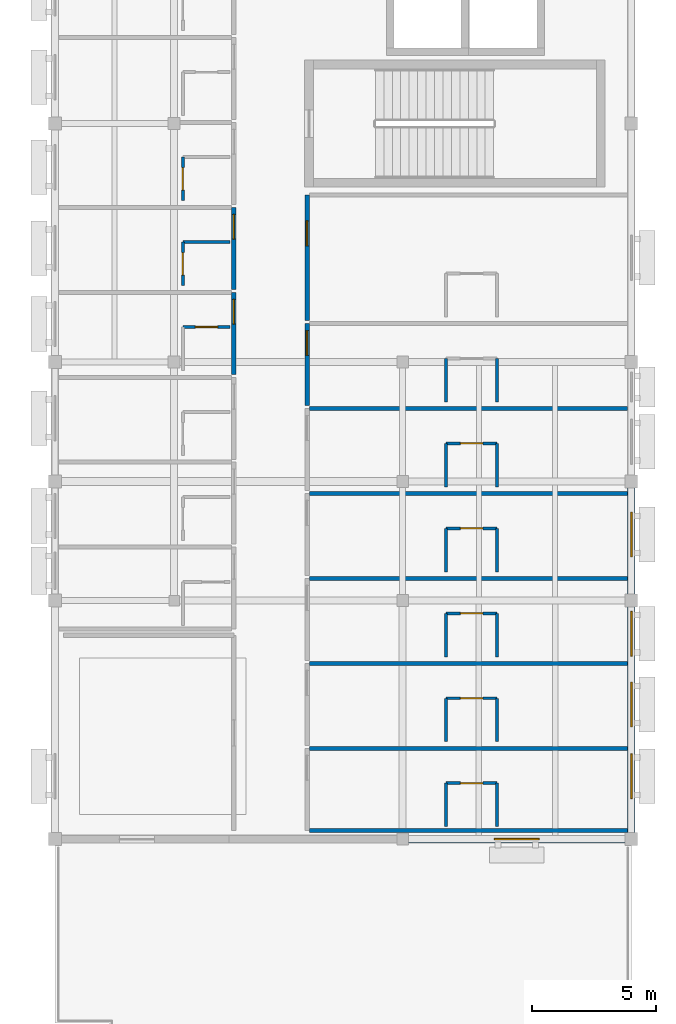
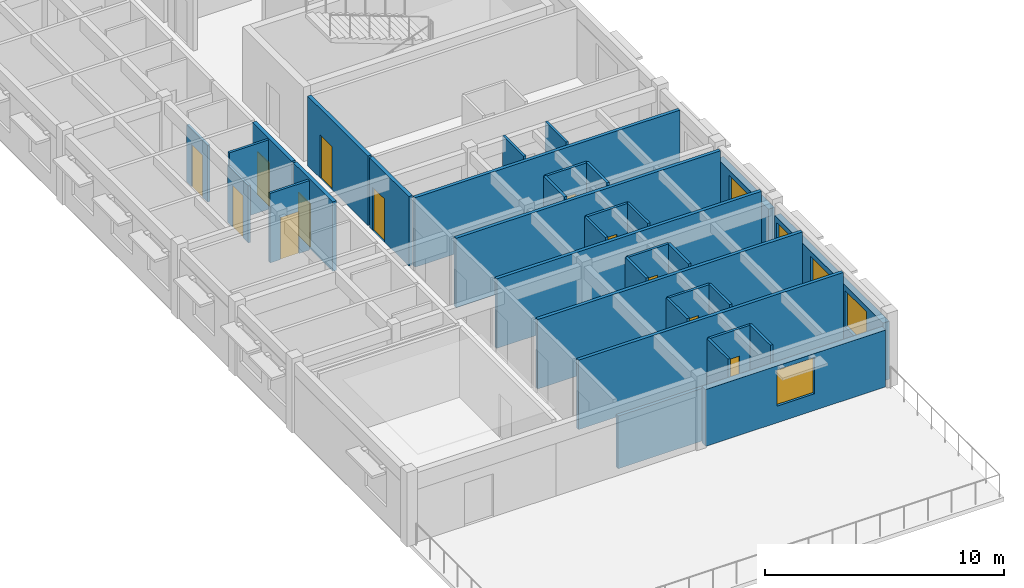
# One storey, part 8 of 22: 34 walls, 12 doors, 5 windows, 17 openings.
"""IFC4 building model written with IfcOpenShell, lengths in metres."""

from ifc_helpers import new_model, si_unit, direction, frame, frame_2d, origin, place, context, subcontext, project, spatial, rectangle, extrude, material, layer, layer_set, type_object, element, fill, save


model = new_model("IFC4")

# Units and contexts
model_context = context("Model", 3, precision=1e-05, world=origin(), true_north=direction((0.0, 1.0)))
body_context = subcontext(model_context, "Body", "Model", "MODEL_VIEW")
ifc_project = project(units=[si_unit("LENGTHUNIT", "METRE"), si_unit("AREAUNIT", "SQUARE_METRE"), si_unit("VOLUMEUNIT", "CUBIC_METRE"), si_unit("PLANEANGLEUNIT", "RADIAN"), si_unit("MASSUNIT", "GRAM", prefix="KILO")], contexts=[model_context])

# Site, building, storey
site_placement = place(None, origin())
site = spatial("IfcSite", under=ifc_project, at=site_placement, CompositionType="ELEMENT")
building_placement = place(site_placement, origin())
building = spatial("IfcBuilding", under=site, at=building_placement, Name="Veldera Park Congress Hotel", CompositionType="ELEMENT")
storey_placement = place(building_placement, frame((0.0, 0.0, 23.800048828125)))
storey = spatial("IfcBuildingStorey", under=building, at=storey_placement, Name="L05", CompositionType="ELEMENT", Elevation=23.800048828125)

# Wall, opening, window
ifc_material_1 = material(Name="Cross-laminated timber CLT V2M1.1", Category="wood")
ifc_layer_1 = layer(ifc_material_1, 0.300048828125)
ifc_layer_set_1 = layer_set([ifc_layer_1], Name="Cross-laminated timber CLT V2M1.1")
wall_type_1 = type_object("IfcWallType", Name="EW-CLT300", PredefinedType="STANDARD", material=ifc_layer_set_1)
wall_1_placement = place(storey_placement, frame((75.0380859375, -37.800048828125, 0.0), z_axis=(0.0, 0.0, 1.0), x_axis=(1.0, 0.0, 0.0)))
wall_1 = element("IfcWall", 1, at=wall_1_placement, inside=storey, type_object=wall_type_1, Name="L05 Exterior Wall EW3-L05-0278", PredefinedType="STANDARD", context=body_context, shape_type="SweptSolid", body=[
    extrude(rectangle(XDim=8.703857421875, YDim=0.300048828125, at=frame_2d((4.35205078125, 0.0))), origin(), (0.0, 0.0, 1.0), 2.905029296875),
])
opening_1_placement = place(wall_1_placement, frame((3.451904296875, 0.0, 0.85009765625)))
opening_1 = element("IfcOpeningElement", 2, at=opening_1_placement, cuts=wall_1, Name="Opening WIN-1800", PredefinedType="OPENING", context=body_context, shape_type="SweptSolid", body=[
    extrude(rectangle(XDim=1.800048828125, YDim=1.85009765625, at=frame_2d((0.89990234375, 0.925048828125))), frame((0.0, 0.162109375, 0.0), z_axis=(0.0, -1.0, 0.0), x_axis=(1.0, 0.0, 0.0)), (0.0, 0.0, 1.0), 0.323974609375),
])
ifc_material_2 = material(Name="Low-E Triple Insulating Glass Unit (SHGC 0.22)", Category="glass")
window_type = type_object("IfcWindowType", Name="WIN-1800", PartitioningType="SINGLE_PANEL", PredefinedType="WINDOW", material=ifc_material_2)
window_1_placement = place(opening_1_placement, origin())
window_1 = element("IfcWindow", 3, at=window_1_placement, inside=storey, type_object=window_type, Name="L05 Window WIN-1800 219", OverallHeight=1.85009765625, OverallWidth=1.800048828125, PartitioningType="SINGLE_PANEL", PredefinedType="WINDOW", context=body_context, shape_type="SweptSolid", body=[
    extrude(rectangle(XDim=1.800048828125, YDim=1.85009765625, at=frame_2d((0.89990234375, 0.925048828125))), frame((0.0, 0.030029296875, 0.0), z_axis=(0.0, -1.0, 0.0), x_axis=(1.0, 0.0, 0.0)), (0.0, 0.0, 1.0), 0.06005859375),
])
fill(opening_1, window_1)

# Wall, openings, windows
wall_2_placement = place(storey_placement, frame((84.0, -37.5419921875, 0.0), z_axis=(0.0, 0.0, 1.0), x_axis=(0.0, 1.0, 0.0)))
wall_2 = element("IfcWall", 4, at=wall_2_placement, inside=storey, type_object=wall_type_1, Name="L05 Exterior Wall EW3-L05-0279", PredefinedType="STANDARD", context=body_context, shape_type="SweptSolid", body=[
    extrude(rectangle(XDim=9.083984375, YDim=0.300048828125, at=frame_2d((4.5419921875, 0.0))), origin(), (0.0, 0.0, 1.0), 2.96484375),
])
opening_2_placement = place(wall_2_placement, frame((1.37109375, 0.0, 0.85009765625)))
opening_2 = element("IfcOpeningElement", 5, at=opening_2_placement, cuts=wall_2, Name="Opening WIN-1800", PredefinedType="OPENING", context=body_context, shape_type="SweptSolid", body=[
    extrude(rectangle(XDim=1.800048828125, YDim=1.85009765625, at=frame_2d((0.89990234375, 0.925048828125))), frame((0.0, 0.162109375, 0.0), z_axis=(0.0, -1.0, 0.0), x_axis=(1.0, 0.0, 0.0)), (0.0, 0.0, 1.0), 0.323974609375),
])
opening_3_placement = place(wall_2_placement, frame((4.261962890625, 0.0, 0.85009765625)))
opening_3 = element("IfcOpeningElement", 6, at=opening_3_placement, cuts=wall_2, Name="Opening WIN-1800", PredefinedType="OPENING", context=body_context, shape_type="SweptSolid", body=[
    extrude(rectangle(XDim=1.800048828125, YDim=1.85009765625, at=frame_2d((0.89990234375, 0.925048828125))), frame((0.0, 0.162109375, 0.0), z_axis=(0.0, -1.0, 0.0), x_axis=(1.0, 0.0, 0.0)), (0.0, 0.0, 1.0), 0.323974609375),
])
opening_4_placement = place(wall_2_placement, frame((7.10791015625, 0.0, 0.85009765625)))
opening_4 = element("IfcOpeningElement", 7, at=opening_4_placement, cuts=wall_2, Name="Opening WIN-1800", PredefinedType="OPENING", context=body_context, shape_type="SweptSolid", body=[
    extrude(rectangle(XDim=1.800048828125, YDim=1.85009765625, at=frame_2d((0.89990234375, 0.925048828125))), frame((0.0, 0.162109375, 0.0), z_axis=(0.0, -1.0, 0.0), x_axis=(1.0, 0.0, 0.0)), (0.0, 0.0, 1.0), 0.323974609375),
])
window_2_placement = place(opening_2_placement, origin())
window_2 = element("IfcWindow", 8, at=window_2_placement, inside=storey, type_object=window_type, Name="L05 Window WIN-1800 220", OverallHeight=1.85009765625, OverallWidth=1.800048828125, PartitioningType="SINGLE_PANEL", PredefinedType="WINDOW", context=body_context, shape_type="SweptSolid", body=[
    extrude(rectangle(XDim=1.800048828125, YDim=1.85009765625, at=frame_2d((0.89990234375, 0.925048828125))), frame((0.0, 0.030029296875, 0.0), z_axis=(0.0, -1.0, 0.0), x_axis=(1.0, 0.0, 0.0)), (0.0, 0.0, 1.0), 0.06005859375),
])
fill(opening_2, window_2)
window_3_placement = place(opening_3_placement, origin())
window_3 = element("IfcWindow", 9, at=window_3_placement, inside=storey, type_object=window_type, Name="L05 Window WIN-1800 493", OverallHeight=1.85009765625, OverallWidth=1.800048828125, PartitioningType="SINGLE_PANEL", PredefinedType="WINDOW", context=body_context, shape_type="SweptSolid", body=[
    extrude(rectangle(XDim=1.800048828125, YDim=1.85009765625, at=frame_2d((0.89990234375, 0.925048828125))), frame((0.0, 0.030029296875, 0.0), z_axis=(0.0, -1.0, 0.0), x_axis=(1.0, 0.0, 0.0)), (0.0, 0.0, 1.0), 0.06005859375),
])
fill(opening_3, window_3)
window_4_placement = place(opening_4_placement, origin())
window_4 = element("IfcWindow", 10, at=window_4_placement, inside=storey, type_object=window_type, Name="L05 Window WIN-1800 494", OverallHeight=1.85009765625, OverallWidth=1.800048828125, PartitioningType="SINGLE_PANEL", PredefinedType="WINDOW", context=body_context, shape_type="SweptSolid", body=[
    extrude(rectangle(XDim=1.800048828125, YDim=1.85009765625, at=frame_2d((0.89990234375, 0.925048828125))), frame((0.0, 0.030029296875, 0.0), z_axis=(0.0, -1.0, 0.0), x_axis=(1.0, 0.0, 0.0)), (0.0, 0.0, 1.0), 0.06005859375),
])
fill(opening_4, window_4)

# Wall, opening, window
wall_3_placement = place(storey_placement, frame((84.0, -27.94189453125, 0.0), z_axis=(0.0, 0.0, 1.0), x_axis=(0.0, 1.0, 0.0)))
wall_3 = element("IfcWall", 11, at=wall_3_placement, inside=storey, type_object=wall_type_1, Name="L05 Exterior Wall EW3-L05-0280", PredefinedType="STANDARD", context=body_context, shape_type="SweptSolid", body=[
    extrude(rectangle(XDim=4.283935546875, YDim=0.300048828125, at=frame_2d((2.14208984375, 0.0))), origin(), (0.0, 0.0, 1.0), 2.96484375),
])
opening_5_placement = place(wall_3_placement, frame((1.501953125, 0.0, 0.85009765625)))
opening_5 = element("IfcOpeningElement", 12, at=opening_5_placement, cuts=wall_3, Name="Opening WIN-1800", PredefinedType="OPENING", context=body_context, shape_type="SweptSolid", body=[
    extrude(rectangle(XDim=1.800048828125, YDim=1.85009765625, at=frame_2d((0.89990234375, 0.925048828125))), frame((0.0, 0.162109375, 0.0), z_axis=(0.0, -1.0, 0.0), x_axis=(1.0, 0.0, 0.0)), (0.0, 0.0, 1.0), 0.323974609375),
])
window_5_placement = place(opening_5_placement, origin())
window_5 = element("IfcWindow", 13, at=window_5_placement, inside=storey, type_object=window_type, Name="L05 Window WIN-1800 495", OverallHeight=1.85009765625, OverallWidth=1.800048828125, PartitioningType="SINGLE_PANEL", PredefinedType="WINDOW", context=body_context, shape_type="SweptSolid", body=[
    extrude(rectangle(XDim=1.800048828125, YDim=1.85009765625, at=frame_2d((0.89990234375, 0.925048828125))), frame((0.0, 0.030029296875, 0.0), z_axis=(0.0, -1.0, 0.0), x_axis=(1.0, 0.0, 0.0)), (0.0, 0.0, 1.0), 0.06005859375),
])
fill(opening_5, window_5)

# Wall, opening, door
ifc_material_3 = material(Name="Fire-Rated Gypsum Board on Cold-Formed Steel Studs", Category="steel")
ifc_layer_2 = layer(ifc_material_3, 0.1201171875)
ifc_layer_set_2 = layer_set([ifc_layer_2], Name="Fire-Rated Gypsum Board on Cold-Formed Steel Studs")
wall_type_2 = type_object("IfcWallType", Name="IW-BATH120", PredefinedType="PARTITIONING", material=ifc_layer_set_2)
wall_4_placement = place(storey_placement, frame((65.949951171875, -17.18994140625, 0.0), z_axis=(0.0, 0.0, 1.0), x_axis=(1.0, 0.0, 0.0)))
wall_4 = element("IfcWall", 14, at=wall_4_placement, inside=storey, type_object=wall_type_2, Name="L05 Partition Wall IW3-L05-01024", PredefinedType="PARTITIONING", context=body_context, shape_type="SweptSolid", body=[
    extrude(rectangle(XDim=1.900146484375, YDim=0.1201171875, at=frame_2d((0.9501953125, 0.0))), origin(), (0.0, 0.0, 1.0), 3.550048828125),
])
opening_6_placement = place(wall_4_placement, frame((0.5, 0.0, 0.0)))
opening_6 = element("IfcOpeningElement", 15, at=opening_6_placement, cuts=wall_4, Name="Opening ID-BATH090", PredefinedType="OPENING", context=body_context, shape_type="SweptSolid", body=[
    extrude(rectangle(XDim=0.89990234375, YDim=2.14990234375, at=frame_2d((0.449951171875, 1.074951171875))), frame((0.0, 0.072021484375, 0.0), z_axis=(0.0, -1.0, 0.0), x_axis=(1.0, 0.0, 0.0)), (0.0, 0.0, 1.0), 0.14404296875),
])
ifc_material_4 = material(Name="Solid Core White Oak Architectural Door", Category="wood")
door_type_1 = type_object("IfcDoorType", Name="ID-BATH090", OperationType="NOTDEFINED", PredefinedType="DOOR", material=ifc_material_4)
door_1_placement = place(opening_6_placement, origin())
door_1 = element("IfcDoor", 16, at=door_1_placement, inside=storey, type_object=door_type_1, Name="L05 En-suite 142 Door ID3-L05-0423 (DR3-ID3-L05-0423)", OperationType="SINGLE_SWING_LEFT", OverallHeight=2.14990234375, OverallWidth=0.89990234375, PredefinedType="DOOR", context=body_context, shape_type="SweptSolid", body=[
    extrude(rectangle(XDim=0.89990234375, YDim=2.14990234375, at=frame_2d((0.449951171875, 1.074951171875))), frame((0.0, 0.02490234375, 0.0), z_axis=(0.0, -1.0, 0.0), x_axis=(1.0, 0.0, 0.0)), (0.0, 0.0, 1.0), 0.050048828125),
])
fill(opening_6, door_1)

wall_5_placement = place(storey_placement, frame((65.949951171875, -15.52001953125, 0.0), z_axis=(0.0, 0.0, 1.0), x_axis=(0.0, 1.0, 0.0)))
wall_5 = element("IfcWall", 17, at=wall_5_placement, inside=storey, type_object=wall_type_2, Name="L05 Partition Wall IW3-L05-01027", PredefinedType="PARTITIONING", context=body_context, shape_type="SweptSolid", body=[
    extrude(rectangle(XDim=1.75, YDim=0.1201171875, at=frame_2d((0.875, 0.0))), origin(), (0.0, 0.0, 1.0), 2.905029296875),
])
opening_7_placement = place(wall_5_placement, frame((0.425048828125, 0.0, 0.0)))
opening_7 = element("IfcOpeningElement", 18, at=opening_7_placement, cuts=wall_5, Name="Opening ID-BATH090", PredefinedType="OPENING", context=body_context, shape_type="SweptSolid", body=[
    extrude(rectangle(XDim=0.89990234375, YDim=2.14990234375, at=frame_2d((0.449951171875, 1.074951171875))), frame((0.0, 0.072021484375, 0.0), z_axis=(0.0, -1.0, 0.0), x_axis=(1.0, 0.0, 0.0)), (0.0, 0.0, 1.0), 0.14404296875),
])
door_2_placement = place(opening_7_placement, origin())
door_2 = element("IfcDoor", 19, at=door_2_placement, inside=storey, type_object=door_type_1, Name="L05 En-suite 143 Door ID3-L05-0425 (DR3-ID3-L05-0425)", OperationType="SINGLE_SWING_LEFT", OverallHeight=2.14990234375, OverallWidth=0.89990234375, PredefinedType="DOOR", context=body_context, shape_type="SweptSolid", body=[
    extrude(rectangle(XDim=0.89990234375, YDim=2.14990234375, at=frame_2d((0.449951171875, 1.074951171875))), frame((0.0, 0.02490234375, 0.0), z_axis=(0.0, -1.0, 0.0), x_axis=(1.0, 0.0, 0.0)), (0.0, 0.0, 1.0), 0.050048828125),
])
fill(opening_7, door_2)

# Wall
wall_6_placement = place(storey_placement, frame((65.949951171875, -13.77001953125, 0.0), z_axis=(0.0, 0.0, 1.0), x_axis=(1.0, 0.0, 0.0)))
element("IfcWall", 20, at=wall_6_placement, inside=storey, type_object=wall_type_2, Name="L05 Partition Wall IW3-L05-01028", PredefinedType="PARTITIONING", context=body_context, shape_type="SweptSolid", body=[
    extrude(rectangle(XDim=1.900146484375, YDim=0.1201171875, at=frame_2d((0.9501953125, 0.0))), origin(), (0.0, 0.0, 1.0), 3.550048828125),
])

# Wall, opening, door
wall_7_placement = place(storey_placement, frame((65.949951171875, -12.10009765625, 0.0), z_axis=(0.0, 0.0, 1.0), x_axis=(0.0, 1.0, 0.0)))
wall_7 = element("IfcWall", 21, at=wall_7_placement, inside=storey, type_object=wall_type_2, Name="L05 Partition Wall IW3-L05-01031", PredefinedType="PARTITIONING", context=body_context, shape_type="SweptSolid", body=[
    extrude(rectangle(XDim=1.75, YDim=0.1201171875, at=frame_2d((0.875, 0.0))), origin(), (0.0, 0.0, 1.0), 2.905029296875),
])
opening_8_placement = place(wall_7_placement, frame((0.425048828125, 0.0, 0.0)))
opening_8 = element("IfcOpeningElement", 22, at=opening_8_placement, cuts=wall_7, Name="Opening ID-BATH090", PredefinedType="OPENING", context=body_context, shape_type="SweptSolid", body=[
    extrude(rectangle(XDim=0.89990234375, YDim=2.14990234375, at=frame_2d((0.449951171875, 1.074951171875))), frame((0.0, 0.072021484375, 0.0), z_axis=(0.0, -1.0, 0.0), x_axis=(1.0, 0.0, 0.0)), (0.0, 0.0, 1.0), 0.14404296875),
])
door_3_placement = place(opening_8_placement, origin())
door_3 = element("IfcDoor", 23, at=door_3_placement, inside=storey, type_object=door_type_1, Name="L05 En-suite 144 Door ID3-L05-0427 (DR3-ID3-L05-0427)", OperationType="SINGLE_SWING_LEFT", OverallHeight=2.14990234375, OverallWidth=0.89990234375, PredefinedType="DOOR", context=body_context, shape_type="SweptSolid", body=[
    extrude(rectangle(XDim=0.89990234375, YDim=2.14990234375, at=frame_2d((0.449951171875, 1.074951171875))), frame((0.0, 0.02490234375, 0.0), z_axis=(0.0, -1.0, 0.0), x_axis=(1.0, 0.0, 0.0)), (0.0, 0.0, 1.0), 0.050048828125),
])
fill(opening_8, door_3)

# Walls
for number, where, z_axis, x_axis, name in (
    (24, (76.550048828125, -37.300048828125, 0.0), (0.0, 0.0, 1.0), (0.0, 1.0, 0.0), "L05 Partition Wall IW3-L05-01080"),
    (25, (78.60009765625, -37.300048828125, 0.0), (0.0, 0.0, 1.0), (0.0, 1.0, 0.0), "L05 Partition Wall IW3-L05-01081"),
):
    element("IfcWall", number, at=place(storey_placement, frame(where, z_axis=z_axis, x_axis=x_axis)), inside=storey, type_object=wall_type_2, Name=name, PredefinedType="PARTITIONING", context=body_context, shape_type="SweptSolid", body=[
        extrude(rectangle(XDim=1.75, YDim=0.1201171875, at=frame_2d((0.875, 0.0))), origin(), (0.0, 0.0, 1.0), 3.550048828125),
    ])

# Wall, opening, door
wall_8_placement = place(storey_placement, frame((76.550048828125, -35.550048828125, 0.0), z_axis=(0.0, 0.0, 1.0), x_axis=(1.0, 0.0, 0.0)))
wall_8 = element("IfcWall", 26, at=wall_8_placement, inside=storey, type_object=wall_type_2, Name="L05 Partition Wall IW3-L05-01082", PredefinedType="PARTITIONING", context=body_context, shape_type="SweptSolid", body=[
    extrude(rectangle(XDim=2.050048828125, YDim=0.1201171875, at=frame_2d((1.02490234375, 0.0))), origin(), (0.0, 0.0, 1.0), 3.550048828125),
])
opening_9_placement = place(wall_8_placement, frame((0.574951171875, 0.0, 0.0)))
opening_9 = element("IfcOpeningElement", 27, at=opening_9_placement, cuts=wall_8, Name="Opening ID-BATH090", PredefinedType="OPENING", context=body_context, shape_type="SweptSolid", body=[
    extrude(rectangle(XDim=0.89990234375, YDim=2.14990234375, at=frame_2d((0.449951171875, 1.074951171875))), frame((0.0, 0.072021484375, 0.0), z_axis=(0.0, -1.0, 0.0), x_axis=(1.0, 0.0, 0.0)), (0.0, 0.0, 1.0), 0.14404296875),
])
door_4_placement = place(opening_9_placement, origin())
door_4 = element("IfcDoor", 28, at=door_4_placement, inside=storey, type_object=door_type_1, Name="L05 En-suite 156 Door ID3-L05-0451 (DR3-ID3-L05-0451)", OperationType="SINGLE_SWING_LEFT", OverallHeight=2.14990234375, OverallWidth=0.89990234375, PredefinedType="DOOR", context=body_context, shape_type="SweptSolid", body=[
    extrude(rectangle(XDim=0.89990234375, YDim=2.14990234375, at=frame_2d((0.449951171875, 1.074951171875))), frame((0.0, 0.02490234375, 0.0), z_axis=(0.0, -1.0, 0.0), x_axis=(1.0, 0.0, 0.0)), (0.0, 0.0, 1.0), 0.050048828125),
])
fill(opening_9, door_4)

# Walls
for number, where, z_axis, x_axis, name in (
    (29, (76.550048828125, -33.8798828125, 0.0), (0.0, 0.0, 1.0), (0.0, 1.0, 0.0), "L05 Partition Wall IW3-L05-01085"),
    (30, (78.60009765625, -33.8798828125, 0.0), (0.0, 0.0, 1.0), (0.0, 1.0, 0.0), "L05 Partition Wall IW3-L05-01086"),
):
    element("IfcWall", number, at=place(storey_placement, frame(where, z_axis=z_axis, x_axis=x_axis)), inside=storey, type_object=wall_type_2, Name=name, PredefinedType="PARTITIONING", context=body_context, shape_type="SweptSolid", body=[
        extrude(rectangle(XDim=1.75, YDim=0.1201171875, at=frame_2d((0.875, 0.0))), origin(), (0.0, 0.0, 1.0), 3.550048828125),
    ])

# Wall, opening, door
wall_9_placement = place(storey_placement, frame((76.550048828125, -32.1298828125, 0.0), z_axis=(0.0, 0.0, 1.0), x_axis=(1.0, 0.0, 0.0)))
wall_9 = element("IfcWall", 31, at=wall_9_placement, inside=storey, type_object=wall_type_2, Name="L05 Partition Wall IW3-L05-01087", PredefinedType="PARTITIONING", context=body_context, shape_type="SweptSolid", body=[
    extrude(rectangle(XDim=2.050048828125, YDim=0.1201171875, at=frame_2d((1.02490234375, 0.0))), origin(), (0.0, 0.0, 1.0), 3.550048828125),
])
opening_10_placement = place(wall_9_placement, frame((0.574951171875, 0.0, 0.0)))
opening_10 = element("IfcOpeningElement", 32, at=opening_10_placement, cuts=wall_9, Name="Opening ID-BATH090", PredefinedType="OPENING", context=body_context, shape_type="SweptSolid", body=[
    extrude(rectangle(XDim=0.89990234375, YDim=2.14990234375, at=frame_2d((0.449951171875, 1.074951171875))), frame((0.0, 0.072021484375, 0.0), z_axis=(0.0, -1.0, 0.0), x_axis=(1.0, 0.0, 0.0)), (0.0, 0.0, 1.0), 0.14404296875),
])
door_5_placement = place(opening_10_placement, origin())
door_5 = element("IfcDoor", 33, at=door_5_placement, inside=storey, type_object=door_type_1, Name="L05 En-suite 157 Door ID3-L05-0453 (DR3-ID3-L05-0453)", OperationType="SINGLE_SWING_LEFT", OverallHeight=2.14990234375, OverallWidth=0.89990234375, PredefinedType="DOOR", context=body_context, shape_type="SweptSolid", body=[
    extrude(rectangle(XDim=0.89990234375, YDim=2.14990234375, at=frame_2d((0.449951171875, 1.074951171875))), frame((0.0, 0.02490234375, 0.0), z_axis=(0.0, -1.0, 0.0), x_axis=(1.0, 0.0, 0.0)), (0.0, 0.0, 1.0), 0.050048828125),
])
fill(opening_10, door_5)

# Walls
for number, where, z_axis, x_axis, name in (
    (34, (76.550048828125, -30.4599609375, 0.0), (0.0, 0.0, 1.0), (0.0, 1.0, 0.0), "L05 Partition Wall IW3-L05-01090"),
    (35, (78.60009765625, -30.4599609375, 0.0), (0.0, 0.0, 1.0), (0.0, 1.0, 0.0), "L05 Partition Wall IW3-L05-01091"),
):
    element("IfcWall", number, at=place(storey_placement, frame(where, z_axis=z_axis, x_axis=x_axis)), inside=storey, type_object=wall_type_2, Name=name, PredefinedType="PARTITIONING", context=body_context, shape_type="SweptSolid", body=[
        extrude(rectangle(XDim=1.75, YDim=0.1201171875, at=frame_2d((0.875, 0.0))), origin(), (0.0, 0.0, 1.0), 3.550048828125),
    ])

# Wall, opening, door
wall_10_placement = place(storey_placement, frame((76.550048828125, -28.7099609375, 0.0), z_axis=(0.0, 0.0, 1.0), x_axis=(1.0, 0.0, 0.0)))
wall_10 = element("IfcWall", 36, at=wall_10_placement, inside=storey, type_object=wall_type_2, Name="L05 Partition Wall IW3-L05-01092", PredefinedType="PARTITIONING", context=body_context, shape_type="SweptSolid", body=[
    extrude(rectangle(XDim=2.050048828125, YDim=0.1201171875, at=frame_2d((1.02490234375, 0.0))), origin(), (0.0, 0.0, 1.0), 3.550048828125),
])
opening_11_placement = place(wall_10_placement, frame((0.574951171875, 0.0, 0.0)))
opening_11 = element("IfcOpeningElement", 37, at=opening_11_placement, cuts=wall_10, Name="Opening ID-BATH090", PredefinedType="OPENING", context=body_context, shape_type="SweptSolid", body=[
    extrude(rectangle(XDim=0.89990234375, YDim=2.14990234375, at=frame_2d((0.449951171875, 1.074951171875))), frame((0.0, 0.072021484375, 0.0), z_axis=(0.0, -1.0, 0.0), x_axis=(1.0, 0.0, 0.0)), (0.0, 0.0, 1.0), 0.14404296875),
])
door_6_placement = place(opening_11_placement, origin())
door_6 = element("IfcDoor", 38, at=door_6_placement, inside=storey, type_object=door_type_1, Name="L05 En-suite 158 Door ID3-L05-0455 (DR3-ID3-L05-0455)", OperationType="SINGLE_SWING_LEFT", OverallHeight=2.14990234375, OverallWidth=0.89990234375, PredefinedType="DOOR", context=body_context, shape_type="SweptSolid", body=[
    extrude(rectangle(XDim=0.89990234375, YDim=2.14990234375, at=frame_2d((0.449951171875, 1.074951171875))), frame((0.0, 0.02490234375, 0.0), z_axis=(0.0, -1.0, 0.0), x_axis=(1.0, 0.0, 0.0)), (0.0, 0.0, 1.0), 0.050048828125),
])
fill(opening_11, door_6)

# Walls
for number, where, z_axis, x_axis, name in (
    (39, (76.550048828125, -27.0400390625, 0.0), (0.0, 0.0, 1.0), (0.0, 1.0, 0.0), "L05 Partition Wall IW3-L05-01095"),
    (40, (78.60009765625, -27.0400390625, 0.0), (0.0, 0.0, 1.0), (0.0, 1.0, 0.0), "L05 Partition Wall IW3-L05-01096"),
):
    element("IfcWall", number, at=place(storey_placement, frame(where, z_axis=z_axis, x_axis=x_axis)), inside=storey, type_object=wall_type_2, Name=name, PredefinedType="PARTITIONING", context=body_context, shape_type="SweptSolid", body=[
        extrude(rectangle(XDim=1.75, YDim=0.1201171875, at=frame_2d((0.875, 0.0))), origin(), (0.0, 0.0, 1.0), 3.550048828125),
    ])

# Wall, opening, door
wall_11_placement = place(storey_placement, frame((76.550048828125, -25.2900390625, 0.0), z_axis=(0.0, 0.0, 1.0), x_axis=(1.0, 0.0, 0.0)))
wall_11 = element("IfcWall", 41, at=wall_11_placement, inside=storey, type_object=wall_type_2, Name="L05 Partition Wall IW3-L05-01097", PredefinedType="PARTITIONING", context=body_context, shape_type="SweptSolid", body=[
    extrude(rectangle(XDim=2.050048828125, YDim=0.1201171875, at=frame_2d((1.02490234375, 0.0))), origin(), (0.0, 0.0, 1.0), 3.550048828125),
])
opening_12_placement = place(wall_11_placement, frame((0.574951171875, 0.0, 0.0)))
opening_12 = element("IfcOpeningElement", 42, at=opening_12_placement, cuts=wall_11, Name="Opening ID-BATH090", PredefinedType="OPENING", context=body_context, shape_type="SweptSolid", body=[
    extrude(rectangle(XDim=0.89990234375, YDim=2.14990234375, at=frame_2d((0.449951171875, 1.074951171875))), frame((0.0, 0.072021484375, 0.0), z_axis=(0.0, -1.0, 0.0), x_axis=(1.0, 0.0, 0.0)), (0.0, 0.0, 1.0), 0.14404296875),
])
door_7_placement = place(opening_12_placement, origin())
door_7 = element("IfcDoor", 43, at=door_7_placement, inside=storey, type_object=door_type_1, Name="L05 En-suite 159 Door ID3-L05-0457 (DR3-ID3-L05-0457)", OperationType="SINGLE_SWING_LEFT", OverallHeight=2.14990234375, OverallWidth=0.89990234375, PredefinedType="DOOR", context=body_context, shape_type="SweptSolid", body=[
    extrude(rectangle(XDim=0.89990234375, YDim=2.14990234375, at=frame_2d((0.449951171875, 1.074951171875))), frame((0.0, 0.02490234375, 0.0), z_axis=(0.0, -1.0, 0.0), x_axis=(1.0, 0.0, 0.0)), (0.0, 0.0, 1.0), 0.050048828125),
])
fill(opening_12, door_7)

# Walls
for number, where, z_axis, x_axis, name in (
    (44, (76.550048828125, -23.6201171875, 0.0), (0.0, 0.0, 1.0), (0.0, 1.0, 0.0), "L05 Partition Wall IW3-L05-01100"),
    (45, (78.60009765625, -23.6201171875, 0.0), (0.0, 0.0, 1.0), (0.0, 1.0, 0.0), "L05 Partition Wall IW3-L05-01101"),
):
    element("IfcWall", number, at=place(storey_placement, frame(where, z_axis=z_axis, x_axis=x_axis)), inside=storey, type_object=wall_type_2, Name=name, PredefinedType="PARTITIONING", context=body_context, shape_type="SweptSolid", body=[
        extrude(rectangle(XDim=1.75, YDim=0.1201171875, at=frame_2d((0.875, 0.0))), origin(), (0.0, 0.0, 1.0), 3.550048828125),
    ])

# Wall, opening, door
wall_12_placement = place(storey_placement, frame((76.550048828125, -21.8701171875, 0.0), z_axis=(0.0, 0.0, 1.0), x_axis=(1.0, 0.0, 0.0)))
wall_12 = element("IfcWall", 46, at=wall_12_placement, inside=storey, type_object=wall_type_2, Name="L05 Partition Wall IW3-L05-01102", PredefinedType="PARTITIONING", context=body_context, shape_type="SweptSolid", body=[
    extrude(rectangle(XDim=2.050048828125, YDim=0.1201171875, at=frame_2d((1.02490234375, 0.0))), origin(), (0.0, 0.0, 1.0), 3.550048828125),
])
opening_13_placement = place(wall_12_placement, frame((0.574951171875, 0.0, 0.0)))
opening_13 = element("IfcOpeningElement", 47, at=opening_13_placement, cuts=wall_12, Name="Opening ID-BATH090", PredefinedType="OPENING", context=body_context, shape_type="SweptSolid", body=[
    extrude(rectangle(XDim=0.89990234375, YDim=2.14990234375, at=frame_2d((0.449951171875, 1.074951171875))), frame((0.0, 0.072021484375, 0.0), z_axis=(0.0, -1.0, 0.0), x_axis=(1.0, 0.0, 0.0)), (0.0, 0.0, 1.0), 0.14404296875),
])
door_8_placement = place(opening_13_placement, origin())
door_8 = element("IfcDoor", 48, at=door_8_placement, inside=storey, type_object=door_type_1, Name="L05 En-suite 160 Door ID3-L05-0459 (DR3-ID3-L05-0459)", OperationType="SINGLE_SWING_LEFT", OverallHeight=2.14990234375, OverallWidth=0.89990234375, PredefinedType="DOOR", context=body_context, shape_type="SweptSolid", body=[
    extrude(rectangle(XDim=0.89990234375, YDim=2.14990234375, at=frame_2d((0.449951171875, 1.074951171875))), frame((0.0, 0.02490234375, 0.0), z_axis=(0.0, -1.0, 0.0), x_axis=(1.0, 0.0, 0.0)), (0.0, 0.0, 1.0), 0.050048828125),
])
fill(opening_13, door_8)

# Walls
for number, where, z_axis, x_axis, name in (
    (49, (76.550048828125, -20.199951171875, 0.0), (0.0, 0.0, 1.0), (0.0, 1.0, 0.0), "L05 Partition Wall IW3-L05-01105"),
    (50, (78.60009765625, -20.199951171875, 0.0), (0.0, 0.0, 1.0), (0.0, 1.0, 0.0), "L05 Partition Wall IW3-L05-01106"),
):
    element("IfcWall", number, at=place(storey_placement, frame(where, z_axis=z_axis, x_axis=x_axis)), inside=storey, type_object=wall_type_2, Name=name, PredefinedType="PARTITIONING", context=body_context, shape_type="SweptSolid", body=[
        extrude(rectangle(XDim=1.75, YDim=0.1201171875, at=frame_2d((0.875, 0.0))), origin(), (0.0, 0.0, 1.0), 3.550048828125),
    ])

# Wall, opening, door
ifc_layer_3 = layer(ifc_material_3, 0.179931640625)
ifc_layer_set_3 = layer_set([ifc_layer_3], Name="Fire-Rated Gypsum Board on Cold-Formed Steel Studs")
wall_type_3 = type_object("IfcWallType", Name="IW-CORR180", PredefinedType="PARTITIONING", material=ifc_layer_set_3)
wall_13_placement = place(storey_placement, frame((68.0, -19.090087890625, 0.0), z_axis=(0.0, 0.0, 1.0), x_axis=(0.0, 1.0, 0.0)))
wall_13 = element("IfcWall", 51, at=wall_13_placement, inside=storey, type_object=wall_type_3, Name="L05 Corridor Wall IW3-L05-01021", PredefinedType="PARTITIONING", context=body_context, shape_type="SweptSolid", body=[
    extrude(rectangle(XDim=3.300048828125, YDim=0.179931640625, at=frame_2d((1.64990234375, 0.0))), origin(), (0.0, 0.0, 1.0), 3.550048828125),
])
opening_14_placement = place(wall_13_placement, frame((2.02001953125, 0.0, 0.0)))
opening_14 = element("IfcOpeningElement", 52, at=opening_14_placement, cuts=wall_13, Name="Opening ID-UNIT100", PredefinedType="OPENING", context=body_context, shape_type="SweptSolid", body=[
    extrude(rectangle(XDim=1.0, YDim=2.199951171875, at=frame_2d((0.5, 1.10009765625))), frame((0.0, 0.10205078125, 0.0), z_axis=(0.0, -1.0, 0.0), x_axis=(1.0, 0.0, 0.0)), (0.0, 0.0, 1.0), 0.203857421875),
])
door_type_2 = type_object("IfcDoorType", Name="ID-UNIT100", OperationType="NOTDEFINED", PredefinedType="DOOR", material=ifc_material_4)
door_9_placement = place(opening_14_placement, origin())
door_9 = element("IfcDoor", 53, at=door_9_placement, inside=storey, type_object=door_type_2, Name="L05 Guestroom 142 Entry Door (DR3-UD3-L05-142)", OperationType="SINGLE_SWING_RIGHT", OverallHeight=2.199951171875, OverallWidth=1.0, PredefinedType="DOOR", context=body_context, shape_type="SweptSolid", body=[
    extrude(rectangle(XDim=1.0, YDim=2.199951171875, at=frame_2d((0.5, 1.10009765625))), frame((0.0, 0.02490234375, 0.0), z_axis=(0.0, -1.0, 0.0), x_axis=(1.0, 0.0, 0.0)), (0.0, 0.0, 1.0), 0.050048828125),
])
fill(opening_14, door_9)

wall_14_placement = place(storey_placement, frame((68.0, -15.669921875, 0.0), z_axis=(0.0, 0.0, 1.0), x_axis=(0.0, 1.0, 0.0)))
wall_14 = element("IfcWall", 54, at=wall_14_placement, inside=storey, type_object=wall_type_3, Name="L05 Corridor Wall IW3-L05-01025", PredefinedType="PARTITIONING", context=body_context, shape_type="SweptSolid", body=[
    extrude(rectangle(XDim=3.2998046875, YDim=0.179931640625, at=frame_2d((1.64990234375, 0.0))), origin(), (0.0, 0.0, 1.0), 3.550048828125),
])
opening_15_placement = place(wall_14_placement, frame((2.02001953125, 0.0, 0.0)))
opening_15 = element("IfcOpeningElement", 55, at=opening_15_placement, cuts=wall_14, Name="Opening ID-UNIT100", PredefinedType="OPENING", context=body_context, shape_type="SweptSolid", body=[
    extrude(rectangle(XDim=1.0, YDim=2.199951171875, at=frame_2d((0.5, 1.10009765625))), frame((0.0, 0.10205078125, 0.0), z_axis=(0.0, -1.0, 0.0), x_axis=(1.0, 0.0, 0.0)), (0.0, 0.0, 1.0), 0.203857421875),
])
door_10_placement = place(opening_15_placement, origin())
door_10 = element("IfcDoor", 56, at=door_10_placement, inside=storey, type_object=door_type_2, Name="L05 Guestroom 143 Entry Door (DR3-UD3-L05-143)", OperationType="SINGLE_SWING_RIGHT", OverallHeight=2.199951171875, OverallWidth=1.0, PredefinedType="DOOR", context=body_context, shape_type="SweptSolid", body=[
    extrude(rectangle(XDim=1.0, YDim=2.199951171875, at=frame_2d((0.5, 1.10009765625))), frame((0.0, 0.02490234375, 0.0), z_axis=(0.0, -1.0, 0.0), x_axis=(1.0, 0.0, 0.0)), (0.0, 0.0, 1.0), 0.050048828125),
])
fill(opening_15, door_10)

wall_15_placement = place(storey_placement, frame((70.949951171875, -17.050048828125, 0.0), z_axis=(0.0, 0.0, 1.0), x_axis=(0.0, -1.0, 0.0)))
wall_15 = element("IfcWall", 57, at=wall_15_placement, inside=storey, type_object=wall_type_3, Name="L05 Corridor Wall IW3-L05-01103", PredefinedType="PARTITIONING", context=body_context, shape_type="SweptSolid", body=[
    extrude(rectangle(XDim=3.300048828125, YDim=0.179931640625, at=frame_2d((1.64990234375, 0.0))), origin(), (0.0, 0.0, 1.0), 3.550048828125),
])
opening_16_placement = place(wall_15_placement, frame((0.280029296875, 0.0, 0.0)))
opening_16 = element("IfcOpeningElement", 58, at=opening_16_placement, cuts=wall_15, Name="Opening ID-UNIT100", PredefinedType="OPENING", context=body_context, shape_type="SweptSolid", body=[
    extrude(rectangle(XDim=1.0, YDim=2.199951171875, at=frame_2d((0.5, 1.10009765625))), frame((0.0, 0.10205078125, 0.0), z_axis=(0.0, -1.0, 0.0), x_axis=(1.0, 0.0, 0.0)), (0.0, 0.0, 1.0), 0.203857421875),
])
door_11_placement = place(opening_16_placement, origin())
door_11 = element("IfcDoor", 59, at=door_11_placement, inside=storey, type_object=door_type_2, Name="L05 Guestroom 161 Entry Door (DR3-UD3-L05-161)", OperationType="SINGLE_SWING_RIGHT", OverallHeight=2.199951171875, OverallWidth=1.0, PredefinedType="DOOR", context=body_context, shape_type="SweptSolid", body=[
    extrude(rectangle(XDim=1.0, YDim=2.199951171875, at=frame_2d((0.5, 1.10009765625))), frame((0.0, 0.02490234375, 0.0), z_axis=(0.0, -1.0, 0.0), x_axis=(1.0, 0.0, 0.0)), (0.0, 0.0, 1.0), 0.050048828125),
])
fill(opening_16, door_11)

wall_16_placement = place(storey_placement, frame((70.949951171875, -11.8701171875, 0.0), z_axis=(0.0, 0.0, 1.0), x_axis=(0.0, -1.0, 0.0)))
wall_16 = element("IfcWall", 60, at=wall_16_placement, inside=storey, type_object=wall_type_3, Name="L05 Corridor Wall IW3-L05-01108", PredefinedType="PARTITIONING", context=body_context, shape_type="SweptSolid", body=[
    extrude(rectangle(XDim=5.059814453125, YDim=0.179931640625, at=frame_2d((2.52978515625, 0.0))), origin(), (0.0, 0.0, 1.0), 3.550048828125),
])
opening_17_placement = place(wall_16_placement, frame((1.050048828125, 0.0, 0.0)))
opening_17 = element("IfcOpeningElement", 61, at=opening_17_placement, cuts=wall_16, Name="Opening ID-UNIT100", PredefinedType="OPENING", context=body_context, shape_type="SweptSolid", body=[
    extrude(rectangle(XDim=1.0, YDim=2.199951171875, at=frame_2d((0.5, 1.10009765625))), frame((0.0, 0.10205078125, 0.0), z_axis=(0.0, -1.0, 0.0), x_axis=(1.0, 0.0, 0.0)), (0.0, 0.0, 1.0), 0.203857421875),
])
door_12_placement = place(opening_17_placement, origin())
door_12 = element("IfcDoor", 62, at=door_12_placement, inside=storey, type_object=door_type_2, Name="L05 Guestroom 162 Entry Door (DR3-UD3-L05-162)", OperationType="SINGLE_SWING_RIGHT", OverallHeight=2.199951171875, OverallWidth=1.0, PredefinedType="DOOR", context=body_context, shape_type="SweptSolid", body=[
    extrude(rectangle(XDim=1.0, YDim=2.199951171875, at=frame_2d((0.5, 1.10009765625))), frame((0.0, 0.02490234375, 0.0), z_axis=(0.0, -1.0, 0.0), x_axis=(1.0, 0.0, 0.0)), (0.0, 0.0, 1.0), 0.050048828125),
])
fill(opening_17, door_12)

# Walls
ifc_layer_4 = layer(ifc_material_1, 0.159912109375)
ifc_layer_set_4 = layer_set([ifc_layer_4], Name="Cross-laminated timber CLT V2M1.1")
wall_type_4 = type_object("IfcWallType", Name="IW-UNIT160", PredefinedType="PARTITIONING", material=ifc_layer_set_4)
wall_17_placement = place(storey_placement, frame((71.050048828125, -37.449951171875, 0.0), z_axis=(0.0, 0.0, 1.0), x_axis=(1.0, 0.0, 0.0)))
element("IfcWall", 63, at=wall_17_placement, inside=storey, type_object=wall_type_4, Name="L05 Partition Wall IW3-L05-01078", PredefinedType="PARTITIONING", context=body_context, shape_type="SweptSolid", body=[
    extrude(rectangle(XDim=12.7900390625, YDim=0.159912109375, at=frame_2d((6.39501953125, 0.0))), origin(), (0.0, 0.0, 1.0), 2.68505859375),
])
for number, where, z_axis, x_axis, name in (
    (64, (71.050048828125, -34.14990234375, 0.0), (0.0, 0.0, 1.0), (1.0, 0.0, 0.0), "L05 Partition Wall IW3-L05-01079"),
    (65, (71.050048828125, -30.72998046875, 0.0), (0.0, 0.0, 1.0), (1.0, 0.0, 0.0), "L05 Partition Wall IW3-L05-01084"),
    (66, (71.050048828125, -27.31005859375, 0.0), (0.0, 0.0, 1.0), (1.0, 0.0, 0.0), "L05 Partition Wall IW3-L05-01089"),
    (67, (71.050048828125, -23.889892578125, 0.0), (0.0, 0.0, 1.0), (1.0, 0.0, 0.0), "L05 Partition Wall IW3-L05-01094"),
    (68, (71.050048828125, -20.469970703125, 0.0), (0.0, 0.0, 1.0), (1.0, 0.0, 0.0), "L05 Partition Wall IW3-L05-01099"),
):
    element("IfcWall", number, at=place(storey_placement, frame(where, z_axis=z_axis, x_axis=x_axis)), inside=storey, type_object=wall_type_4, Name=name, PredefinedType="PARTITIONING", context=body_context, shape_type="SweptSolid", body=[
        extrude(rectangle(XDim=12.7900390625, YDim=0.159912109375, at=frame_2d((6.39501953125, 0.0))), origin(), (0.0, 0.0, 1.0), 3.550048828125),
    ])

save(model, "model.ifc")
